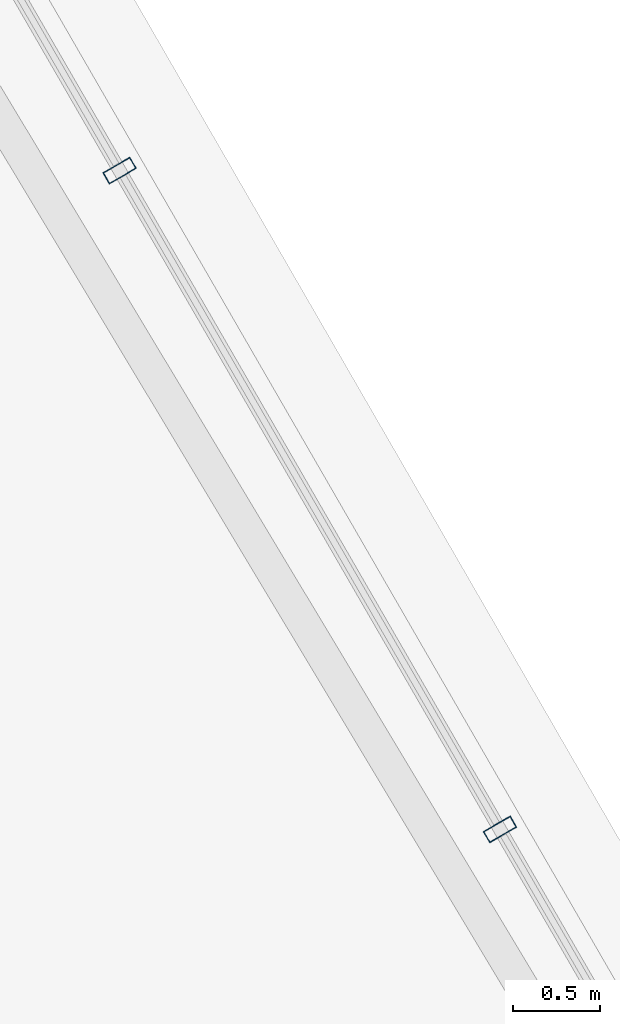
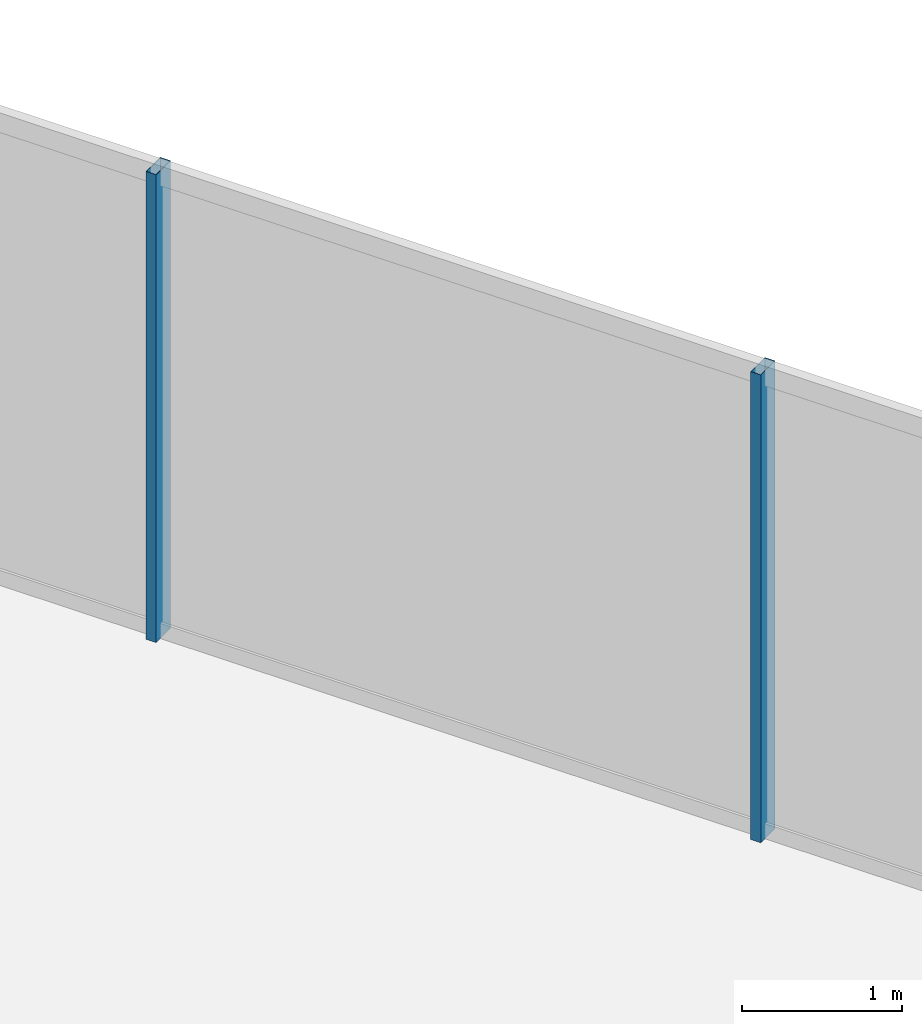
# One storey, part 19 of 29: 2 members, 1 element without a shape of its own.
"""IFC4 building model written with IfcOpenShell, lengths in metres."""

import ifcopenshell
import ifcopenshell.guid

model = None  # the IFC model being written
_history = None  # IfcOwnerHistory: only IFC2X3 demands one
_inside = {}  # id of a spatial element -> (the spatial element, [elements in it])
_under = {}  # id of a project, library or spatial element -> (it, [spatial elements below it])
_declared = {}  # id of a project -> (the project, [libraries it declares])
_typed = {}  # id of a type object -> (the type object, [elements of that type])
_made_of = {}  # id of a material, layer set ... -> (it, [elements and type objects made of it])


def new_model(schema):
    """Start an empty IFC model of exactly this schema.

    Asked for "IFC4X3", IfcOpenShell would pick the latest addendum, in which some entities
    have other attributes; the version numbers below select the first issue.
    IFC2X3 requires an IfcOwnerHistory on every rooted entity: one is made here for all.
    """
    global model, _history
    if schema == "IFC4X3":
        model = ifcopenshell.file(schema_version=(4, 3, 0, 0))
    else:
        model = ifcopenshell.file(schema=schema)
    _inside.clear()
    _under.clear()
    _declared.clear()
    _typed.clear()
    _made_of.clear()
    _history = None
    if model.schema == "IFC2X3":
        org = make("IfcOrganization", Name="unknown")
        user = make(
            "IfcPersonAndOrganization",
            ThePerson=make("IfcPerson", FamilyName="unknown"),
            TheOrganization=org,
        )
        app = make(
            "IfcApplication",
            ApplicationDeveloper=org,
            Version="unknown",
            ApplicationFullName="unknown",
            ApplicationIdentifier="unknown",
        )
        _history = make(
            "IfcOwnerHistory",
            OwningUser=user,
            OwningApplication=app,
            ChangeAction="ADDED",
            CreationDate=0,
        )
    return model


def make(cls, **values):
    """One entity of the class cls with the attributes given. An attribute that is None is left unset."""
    return model.create_entity(
        cls, **{name: value for name, value in values.items() if value is not None}
    )


def rooted(cls, **values):
    """An entity with a GlobalId (a new one), such as an element, a storey or a relation."""
    return make(cls, GlobalId=ifcopenshell.guid.new(), OwnerHistory=_history, **values)


def si_unit(unit_type, name, prefix=None):
    """IfcSIUnit, for example si_unit("LENGTHUNIT", "METRE", prefix="MILLI")."""
    return make("IfcSIUnit", UnitType=unit_type, Prefix=prefix, Name=name)


def assignment(units):
    """IfcUnitAssignment: the units of a project."""
    return None if units is None else make("IfcUnitAssignment", Units=units)


def point(xyz):
    """IfcCartesianPoint."""
    return None if xyz is None else make("IfcCartesianPoint", Coordinates=xyz)


def direction(xyz):
    """IfcDirection."""
    return None if xyz is None else make("IfcDirection", DirectionRatios=xyz)


def frame(location, z_axis=None, x_axis=None):
    """IfcAxis2Placement3D, a coordinate frame: its origin and axes. An axis left out is left unset."""
    return make(
        "IfcAxis2Placement3D",
        Location=point(location),
        Axis=direction(z_axis),
        RefDirection=direction(x_axis),
    )


def frame_2d(location, x_axis=None):
    """IfcAxis2Placement2D, a coordinate frame in the plane: its origin and x axis."""
    return make(
        "IfcAxis2Placement2D", Location=point(location), RefDirection=direction(x_axis)
    )


def origin():
    """The frame at (0, 0, 0) with its axes left unset."""
    return frame((0.0, 0.0, 0.0))


def origin_2d():
    """The frame at (0, 0) in the plane with its x axis left unset."""
    return frame_2d((0.0, 0.0))


def place(relative_to, where):
    """IfcLocalPlacement: puts the frame where relative to a parent placement (None: the world)."""
    return make(
        "IfcLocalPlacement", PlacementRelTo=relative_to, RelativePlacement=where
    )


def context(
    kind, dimensions, precision=None, world=None, true_north=None, identifier=None
):
    """IfcGeometricRepresentationContext, for example the 3D "Model" context."""
    return make(
        "IfcGeometricRepresentationContext",
        ContextIdentifier=identifier,
        ContextType=kind,
        CoordinateSpaceDimension=dimensions,
        Precision=precision,
        WorldCoordinateSystem=world,
        TrueNorth=true_north,
    )


def subcontext(parent, identifier, kind, view, scale=None):
    """IfcGeometricRepresentationSubContext, for example "Body" below "Model"."""
    return make(
        "IfcGeometricRepresentationSubContext",
        ContextIdentifier=identifier,
        ContextType=kind,
        ParentContext=parent,
        TargetScale=scale,
        TargetView=view,
    )


def project(units=None, contexts=None):
    """IfcProject with its units and contexts."""
    return rooted(
        "IfcProject",
        Name="project",
        RepresentationContexts=contexts,
        UnitsInContext=assignment(units),
    )


def spatial(cls, under=None, at=None, **own):
    """A site, building, storey or space (cls), placed at a placement, below another one or the project."""
    s = rooted(cls, ObjectPlacement=at, **own)
    if under is not None:
        _under.setdefault(under.id(), (under, []))[1].append(s)
    return s


def profile(cls, at=None, kind="AREA", **sizes):
    """A parametric profile (cls). Its sizes go by their IFC names, for example OverallWidth=200.0."""
    return make(cls, ProfileType=kind, Position=at, **sizes)


def hollow_rectangle(**sizes):
    """IfcRectangleHollowProfileDef."""
    return profile("IfcRectangleHollowProfileDef", **sizes)


def extrude(swept, where, along, depth):
    """IfcExtrudedAreaSolid: the profile swept, set in the frame where, extruded along a direction by depth."""
    return make(
        "IfcExtrudedAreaSolid",
        SweptArea=swept,
        Position=where,
        ExtrudedDirection=direction(along),
        Depth=depth,
    )


def shape(context_of_items, identifier, shape_type, items):
    """IfcShapeRepresentation: the items that make up one representation, for example the "Body"."""
    return make(
        "IfcShapeRepresentation",
        ContextOfItems=context_of_items,
        RepresentationIdentifier=identifier,
        RepresentationType=shape_type,
        Items=items,
    )


def material(Name=None, Category=None):
    """IfcMaterial."""
    return make("IfcMaterial", Name=Name, Category=Category)


def layer(
    of_material, thickness, ventilated=None, Name=None, Category=None, Priority=None
):
    """IfcMaterialLayer: one layer of a wall or slab, of a material (None: an air gap)."""
    return make(
        "IfcMaterialLayer",
        Material=of_material,
        LayerThickness=thickness,
        IsVentilated=ventilated,
        Name=Name,
        Category=Category,
        Priority=Priority,
    )


def layer_set(layers, Name=None):
    """IfcMaterialLayerSet."""
    return make("IfcMaterialLayerSet", MaterialLayers=layers, LayerSetName=Name)


def material_profile(
    of_material, cross_section, Name=None, Category=None, Priority=None
):
    """IfcMaterialProfile: a cross section and its material."""
    return make(
        "IfcMaterialProfile",
        Name=Name,
        Material=of_material,
        Profile=cross_section,
        Priority=Priority,
        Category=Category,
    )


def profile_set(profiles, Name=None, composite=None):
    """IfcMaterialProfileSet."""
    return make(
        "IfcMaterialProfileSet",
        Name=Name,
        MaterialProfiles=profiles,
        CompositeProfile=composite,
    )


def made_of(thing, what):
    """Note that an element or type object is made of a material, layer set ...; save() writes the relation."""
    if what is not None:
        _made_of.setdefault(what.id(), (what, []))[1].append(thing)
    return thing


def type_object(cls, material=None, **own):
    """A type object (cls), such as IfcWallType, which elements share."""
    return made_of(rooted(cls, **own), material)


def element(
    cls,
    number,
    at=None,
    inside=None,
    cuts=None,
    type_object=None,
    material=None,
    context=None,
    identifier="Body",
    shape_type=None,
    held_by="IfcProductDefinitionShape",
    body=None,
    shapes=None,
    **own,
):
    """One element of the class cls, such as IfcWall. Its Tag is "e" and its number.

    at: its placement. inside: the storey or other place that contains it. cuts: it is an
    opening in that element (IfcRelVoidsElement). A single representation is given by context,
    identifier, shape_type and body (its items); several are given by shapes. held_by: the class
    of the entity that holds the representations. save() writes the other relations.
    """
    e = rooted(cls, Tag="e%d" % number, ObjectPlacement=at, **own)
    if body is not None:
        shapes = [shape(context, identifier, shape_type, body)]
    if shapes is not None:
        e.Representation = make(held_by, Representations=shapes)
    if inside is not None:
        _inside.setdefault(inside.id(), (inside, []))[1].append(e)
    if cuts is not None:
        rooted(
            "IfcRelVoidsElement", RelatingBuildingElement=cuts, RelatedOpeningElement=e
        )
    if type_object is not None:
        _typed.setdefault(type_object.id(), (type_object, []))[1].append(e)
    return made_of(e, material)


def aggregate(whole, parts):
    """IfcRelAggregates: a whole, such as a stair, and the parts it consists of."""
    return rooted("IfcRelAggregates", RelatingObject=whole, RelatedObjects=parts)


def save(model, path):
    """Write the relations noted so far, then the file.

    IfcRelAggregates (storeys below a building ...), IfcRelContainedInSpatialStructure (elements
    in a storey), IfcRelDefinesByType, IfcRelAssociatesMaterial and IfcRelDeclares: one each for
    every whole, place, type object, material and project.
    """
    for whole, parts in _under.values():
        aggregate(whole, parts)
    for where, things in _inside.values():
        rooted(
            "IfcRelContainedInSpatialStructure",
            RelatedElements=things,
            RelatingStructure=where,
        )
    for kind, things in _typed.values():
        rooted("IfcRelDefinesByType", RelatedObjects=things, RelatingType=kind)
    for what, things in _made_of.values():
        rooted("IfcRelAssociatesMaterial", RelatedObjects=things, RelatingMaterial=what)
    for by, libraries in _declared.values():
        rooted("IfcRelDeclares", RelatingContext=by, RelatedDefinitions=libraries)
    model.write(path)


model = new_model("IFC4")

# Units and contexts
model_context = context("Model", 3, precision=1e-05, world=origin(), true_north=direction((0.0, 1.0)))
body_context = subcontext(model_context, "Body", "Model", "MODEL_VIEW")
ifc_project = project(units=[si_unit("LENGTHUNIT", "METRE"), si_unit("AREAUNIT", "SQUARE_METRE"), si_unit("VOLUMEUNIT", "CUBIC_METRE"), si_unit("PLANEANGLEUNIT", "RADIAN"), si_unit("MASSUNIT", "GRAM", prefix="KILO")], contexts=[model_context])

# Site, building, storey
site_placement = place(None, origin())
site = spatial("IfcSite", under=ifc_project, at=site_placement, CompositionType="ELEMENT")
building_placement = place(site_placement, origin())
building = spatial("IfcBuilding", under=site, at=building_placement, Name="Ndaravel Arena Tower", CompositionType="ELEMENT")
storey_placement = place(building_placement, frame((0.0, 0.0, 240.800048828125)))
storey = spatial("IfcBuildingStorey", under=building, at=storey_placement, Name="L58", CompositionType="ELEMENT", Elevation=240.800048828125)

# Curtain wall, members
ifc_material_1 = material(Name="Aluminium", Category="aluminium")
ifc_layer = layer(ifc_material_1, 0.179931640625)
ifc_layer_set = layer_set([ifc_layer], Name="Aluminium")
curtain_wall_type = type_object("IfcCurtainWallType", Name="CW-SYS-03", PredefinedType="NOTDEFINED", material=ifc_layer_set)
curtain_wall_placement = place(storey_placement, origin())
curtain_wall = element("IfcCurtainWall", 1, at=curtain_wall_placement, inside=storey, type_object=curtain_wall_type, Name="L58 Faceted Crystal Curtain Wall CW-L58-E03", PredefinedType="NOTDEFINED")
ifc_material_2 = material(Name="Aluminium", Category="aluminium")
ifc_material_profile = material_profile(ifc_material_2, hollow_rectangle(XDim=0.074951171875, YDim=0.179931640625, WallThickness=0.00390625, at=origin_2d()), Name="CW MULLION 75x180x4")
ifc_profile_set = profile_set([ifc_material_profile], Name="Aluminium")
member_type = type_object("IfcMemberType", Name="MEM-CW-MUL180", PredefinedType="MULLION", material=ifc_profile_set)
member_1_placement = place(storey_placement, frame((54.0556640625, 29.830810546875, 0.0), z_axis=(0.0, 0.0, 1.0), x_axis=(-0.5, 0.866025403784, 0.0)))
member_1 = element("IfcMember", 2, at=member_1_placement, type_object=member_type, Name="CW-L58-E03 Mullion 05", PredefinedType="MULLION", context=body_context, shape_type="SweptSolid", body=[
    extrude(hollow_rectangle(XDim=0.074951171875, YDim=0.179931640625, WallThickness=0.00390625, at=origin_2d()), origin(), (0.0, 0.0, 1.0), 3.579833984375),
])
member_2_placement = place(storey_placement, frame((51.86767578125, 33.620361328125, 0.0), z_axis=(0.0, 0.0, 1.0), x_axis=(-0.5, 0.866025403784, 0.0)))
member_2 = element("IfcMember", 3, at=member_2_placement, type_object=member_type, Name="CW-L58-E03 Mullion 06", PredefinedType="MULLION", context=body_context, shape_type="SweptSolid", body=[
    extrude(hollow_rectangle(XDim=0.074951171875, YDim=0.179931640625, WallThickness=0.00390625, at=origin_2d()), origin(), (0.0, 0.0, 1.0), 3.579833984375),
])
aggregate(curtain_wall, [member_1, member_2])

save(model, "model.ifc")
